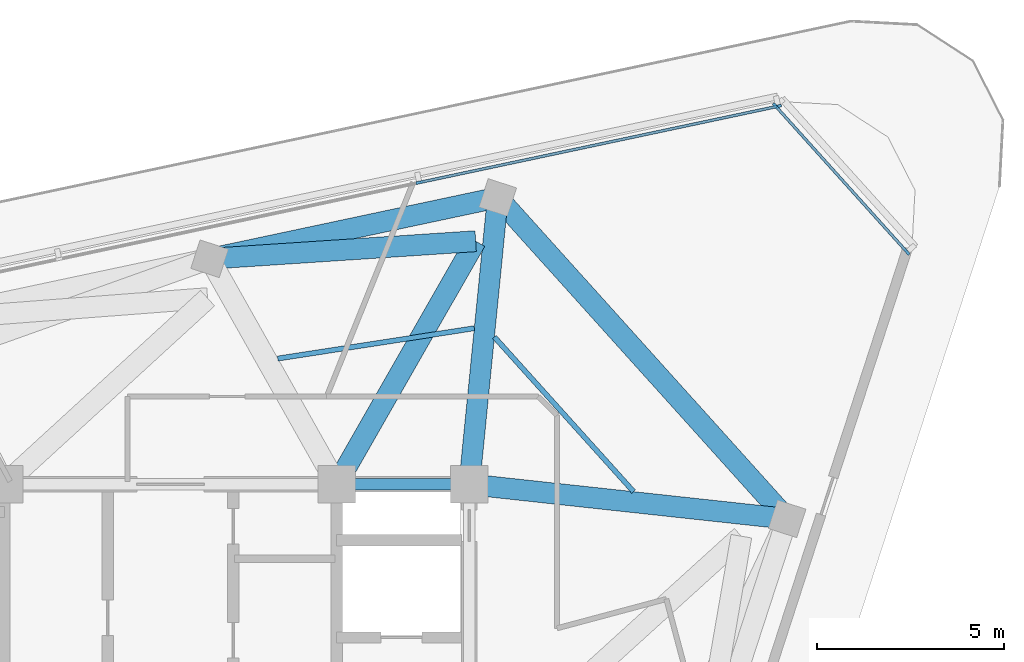
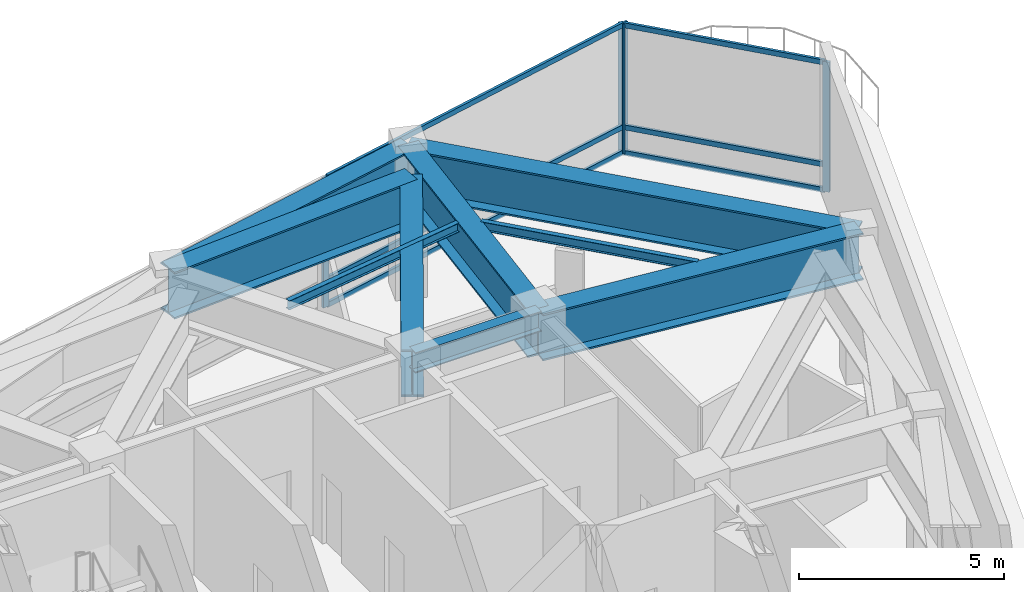
# One storey, part 7 of 15: 10 members, 9 beams, 2 elements without a shape of their own.
"""IFC4 building model written with IfcOpenShell, lengths in metres."""

from ifc_helpers import new_model, si_unit, direction, frame, origin, origin_2d, place, context, subcontext, project, spatial, rectangle, i_section, extrude, material, layer, layer_set, material_profile, profile_set, type_object, element, aggregate, save


model = new_model("IFC4")

# Units and contexts
model_context = context("Model", 3, precision=1e-05, world=origin(), true_north=direction((0.0, 1.0)))
body_context = subcontext(model_context, "Body", "Model", "MODEL_VIEW")
ifc_project = project(units=[si_unit("LENGTHUNIT", "METRE"), si_unit("AREAUNIT", "SQUARE_METRE"), si_unit("VOLUMEUNIT", "CUBIC_METRE"), si_unit("PLANEANGLEUNIT", "RADIAN"), si_unit("MASSUNIT", "GRAM", prefix="KILO")], contexts=[model_context])

# Site, building, storey
site_placement = place(None, origin())
site = spatial("IfcSite", under=ifc_project, at=site_placement, CompositionType="ELEMENT")
building_placement = place(site_placement, origin())
building = spatial("IfcBuilding", under=site, at=building_placement, Name="Terralouvre Media Tower", CompositionType="ELEMENT")
storey_placement = place(building_placement, frame((0.0, 0.0, 312.800048828125)))
storey = spatial("IfcBuildingStorey", under=building, at=storey_placement, Name="L81", CompositionType="ELEMENT", Elevation=312.800048828125)

# Beams
ifc_material_1 = material(Name="Structural steel S355J2", Category="steel")
ifc_material_profile_1 = material_profile(ifc_material_1, i_section(OverallWidth=0.135009765625, OverallDepth=0.27001953125, WebThickness=0.006591796875, FlangeThickness=0.01025390625, at=origin_2d()), Name="IPE 270")
ifc_profile_set_1 = profile_set([ifc_material_profile_1], Name="Structural steel S355J2")
beam_type_1 = type_object("IfcBeamType", Name="Composite Floor Joist J-IPE270 (IPE 270)", PredefinedType="JOIST", material=ifc_profile_set_1)
beam_1_placement = place(storey_placement, frame((12.40087890625, 7.802734375, 4.244873046875), z_axis=(-0.669141401676, 0.743135105188, 0.0), x_axis=(-0.743135105188, -0.669141401676, 0.0)))
element("IfcBeam", 1, at=beam_1_placement, inside=storey, type_object=beam_type_1, Name="L81 Framing Beam JT-L81-07", PredefinedType="JOIST", context=body_context, shape_type="SweptSolid", body=[
    extrude(i_section(OverallWidth=0.135009765625, OverallDepth=0.27001953125, WebThickness=0.006591796875, FlangeThickness=0.01025390625, at=origin_2d()), origin(), (0.0, 0.0, 1.0), 5.57275390625),
])
beam_2_placement = place(storey_placement, frame((8.135986328125, 12.18017578125, 4.244873046875), z_axis=(-0.988287283147, -0.15260486876, 0.0), x_axis=(0.15260486876, -0.988287283147, 0.0)))
element("IfcBeam", 2, at=beam_2_placement, inside=storey, type_object=beam_type_1, Name="L81 Framing Beam JT-L81-08", PredefinedType="JOIST", context=body_context, shape_type="SweptSolid", body=[
    extrude(i_section(OverallWidth=0.135009765625, OverallDepth=0.27001953125, WebThickness=0.006591796875, FlangeThickness=0.01025390625, at=origin_2d()), origin(), (0.0, 0.0, 1.0), 5.325927734375),
])

# Curtain wall, members
ifc_material_2 = material(Name="Low-iron laminated double glazing with solar-control coating", Category="glass")
ifc_layer_1 = layer(ifc_material_2, 0.1650390625, Name="Faceted Glass-Point Crown Curtain Wall CW-06")
ifc_layer_set_1 = layer_set([ifc_layer_1], Name="Low-iron laminated double glazing with solar-control coating")
curtain_wall_type_1 = type_object("IfcCurtainWallType", Name="Faceted Glass-Point Crown Curtain Wall CW-06", PredefinedType="NOTDEFINED", material=ifc_layer_set_1)
curtain_wall_1_placement = place(storey_placement, origin())
curtain_wall_1 = element("IfcCurtainWall", 3, at=curtain_wall_1_placement, inside=storey, type_object=curtain_wall_type_1, Name="L81 Facade Curtain Wall F1", PredefinedType="NOTDEFINED")
ifc_material_3 = material(Name="Anodised extruded aluminium 6063-T6", Category="aluminium")
ifc_material_profile_2 = material_profile(ifc_material_3, rectangle(XDim=0.074951171875, YDim=0.14990234375, at=origin_2d()), Name="ALU 75x150")
ifc_profile_set_2 = profile_set([ifc_material_profile_2], Name="Anodised extruded aluminium 6063-T6")
member_type_1 = type_object("IfcMemberType", Name="Curtain-Wall Horizontal Transom TR-150", PredefinedType="USERDEFINED", material=ifc_profile_set_2)
member_1_placement = place(storey_placement, frame((16.233154296875, 18.1162109375, 0.037353515625), z_axis=(-0.978147455069, -0.207912376118, 0.0), x_axis=(0.207912376118, -0.978147455069, 0.0)))
member_1 = element("IfcMember", 4, at=member_1_placement, type_object=member_type_1, Name="CW-06 transom 1.1", ObjectType="TRANSOM", PredefinedType="USERDEFINED", context=body_context, shape_type="SweptSolid", body=[
    extrude(rectangle(XDim=0.074951171875, YDim=0.14990234375, at=origin_2d()), origin(), (0.0, 0.0, 1.0), 9.747314453125),
])
member_2_placement = place(storey_placement, frame((16.233154296875, 18.1162109375, 0.800048828125), z_axis=(-0.978147455069, -0.207912376118, 0.0), x_axis=(0.207912376118, -0.978147455069, 0.0)))
member_2 = element("IfcMember", 5, at=member_2_placement, type_object=member_type_1, Name="CW-06 transom 1.2", ObjectType="TRANSOM", PredefinedType="USERDEFINED", context=body_context, shape_type="SweptSolid", body=[
    extrude(rectangle(XDim=0.074951171875, YDim=0.14990234375, at=origin_2d()), origin(), (0.0, 0.0, 1.0), 9.747314453125),
])
member_3_placement = place(storey_placement, frame((16.233154296875, 18.1162109375, 3.842529296875), z_axis=(-0.978147455069, -0.207912376118, 0.0), x_axis=(0.207912376118, -0.978147455069, 0.0)))
member_3 = element("IfcMember", 6, at=member_3_placement, type_object=member_type_1, Name="CW-06 transom 1.3", ObjectType="TRANSOM", PredefinedType="USERDEFINED", context=body_context, shape_type="SweptSolid", body=[
    extrude(rectangle(XDim=0.074951171875, YDim=0.14990234375, at=origin_2d()), origin(), (0.0, 0.0, 1.0), 9.747314453125),
])

ifc_material_4 = material(Name="Low-iron laminated double glazing with solar-control coating", Category="glass")
ifc_layer_2 = layer(ifc_material_4, 0.1650390625, Name="Rounded Wind-Corner Curved Glazing CW-04")
ifc_layer_set_2 = layer_set([ifc_layer_2], Name="Low-iron laminated double glazing with solar-control coating")
curtain_wall_type_2 = type_object("IfcCurtainWallType", Name="Rounded Wind-Corner Curved Glazing CW-04", PredefinedType="NOTDEFINED", material=ifc_layer_set_2)
curtain_wall_2_placement = place(storey_placement, origin())
curtain_wall_2 = element("IfcCurtainWall", 7, at=curtain_wall_2_placement, inside=storey, type_object=curtain_wall_type_2, Name="L81 Rounded Wind-Corner Curtain Wall C1", PredefinedType="NOTDEFINED")
member_4_placement = place(storey_placement, frame((19.697021484375, 14.246826171875, 0.037353515625), z_axis=(-0.669126013117, 0.743148961225, 0.0), x_axis=(-0.743148961225, -0.669126013117, 0.0)))
member_4 = element("IfcMember", 8, at=member_4_placement, type_object=member_type_1, Name="CW-04 transom 1.1", ObjectType="TRANSOM", PredefinedType="USERDEFINED", context=body_context, shape_type="SweptSolid", body=[
    extrude(rectangle(XDim=0.074951171875, YDim=0.14990234375, at=origin_2d()), origin(), (0.0, 0.0, 1.0), 5.184814453125),
])
member_5_placement = place(storey_placement, frame((19.697021484375, 14.246826171875, 0.800048828125), z_axis=(-0.669126013117, 0.743148961225, 0.0), x_axis=(-0.743148961225, -0.669126013117, 0.0)))
member_5 = element("IfcMember", 9, at=member_5_placement, type_object=member_type_1, Name="CW-04 transom 1.2", ObjectType="TRANSOM", PredefinedType="USERDEFINED", context=body_context, shape_type="SweptSolid", body=[
    extrude(rectangle(XDim=0.074951171875, YDim=0.14990234375, at=origin_2d()), origin(), (0.0, 0.0, 1.0), 5.184814453125),
])
member_6_placement = place(storey_placement, frame((19.697021484375, 14.246826171875, 3.842529296875), z_axis=(-0.669126013117, 0.743148961225, 0.0), x_axis=(-0.743148961225, -0.669126013117, 0.0)))
member_6 = element("IfcMember", 10, at=member_6_placement, type_object=member_type_1, Name="CW-04 transom 1.3", ObjectType="TRANSOM", PredefinedType="USERDEFINED", context=body_context, shape_type="SweptSolid", body=[
    extrude(rectangle(XDim=0.074951171875, YDim=0.14990234375, at=origin_2d()), origin(), (0.0, 0.0, 1.0), 5.184814453125),
])

# Member
ifc_material_5 = material(Name="Anodised extruded aluminium 6063-T6", Category="aluminium")
ifc_material_profile_3 = material_profile(ifc_material_5, rectangle(XDim=0.074951171875, YDim=0.179931640625, at=origin_2d()), Name="ALU 75x180")
ifc_profile_set_3 = profile_set([ifc_material_profile_3], Name="Anodised extruded aluminium 6063-T6")
member_type_2 = type_object("IfcMemberType", Name="Curtain-Wall Vertical Mullion ML-180", PredefinedType="MULLION", material=ifc_profile_set_3)
member_7_placement = place(storey_placement, frame((16.269775390625, 18.1240234375, 0.0), z_axis=(0.0, 0.0, 1.0), x_axis=(0.207911717023, -0.978147595164, 0.0)))
member_7 = element("IfcMember", 11, at=member_7_placement, type_object=member_type_2, Name="CW-06 mullion 1", PredefinedType="MULLION", context=body_context, shape_type="SweptSolid", body=[
    extrude(rectangle(XDim=0.074951171875, YDim=0.179931640625, at=origin_2d()), origin(), (0.0, 0.0, 1.0), 3.8798828125),
])

member_8_placement = place(storey_placement, frame((6.661865234375, 16.081787109375, 0.0), z_axis=(0.0, 0.0, 1.0), x_axis=(0.207911717023, -0.978147595164, 0.0)))
member_8 = element("IfcMember", 12, at=member_8_placement, type_object=member_type_2, Name="CW-06 mullion 2", PredefinedType="MULLION", context=body_context, shape_type="SweptSolid", body=[
    extrude(rectangle(XDim=0.074951171875, YDim=0.179931640625, at=origin_2d()), origin(), (0.0, 0.0, 1.0), 3.8798828125),
])

aggregate(curtain_wall_1, [member_7, member_8, member_1, member_2, member_3])

member_9_placement = place(storey_placement, frame((19.72216796875, 14.218994140625, 0.0), z_axis=(0.0, 0.0, 1.0), x_axis=(-0.743144435613, -0.669131039347, 0.0)))
member_9 = element("IfcMember", 13, at=member_9_placement, type_object=member_type_2, Name="CW-04 mullion 1", PredefinedType="MULLION", context=body_context, shape_type="SweptSolid", body=[
    extrude(rectangle(XDim=0.074951171875, YDim=0.179931640625, at=origin_2d()), origin(), (0.0, 0.0, 1.0), 3.8798828125),
])

member_10_placement = place(storey_placement, frame((16.20263671875, 18.127685546875, 0.0), z_axis=(0.0, 0.0, 1.0), x_axis=(-0.743144435613, -0.669131039347, 0.0)))
member_10 = element("IfcMember", 14, at=member_10_placement, type_object=member_type_2, Name="CW-04 mullion 2", PredefinedType="MULLION", context=body_context, shape_type="SweptSolid", body=[
    extrude(rectangle(XDim=0.074951171875, YDim=0.179931640625, at=origin_2d()), origin(), (0.0, 0.0, 1.0), 3.8798828125),
])

aggregate(curtain_wall_2, [member_9, member_10, member_4, member_5, member_6])

# Beams
ifc_material_6 = material(Name="Structural steel S460M", Category="steel")
ifc_material_profile_4 = material_profile(ifc_material_6, i_section(OverallWidth=0.300048828125, OverallDepth=0.60009765625, WebThickness=0.015380859375, FlangeThickness=0.030029296875, at=origin_2d()), Name="HEB 600")
ifc_profile_set_4 = profile_set([ifc_material_profile_4], Name="Structural steel S460M")
beam_type_2 = type_object("IfcBeamType", Name="Primary Floor Girder B-HEB600 (HEB 600)", PredefinedType="BEAM", material=ifc_profile_set_4)
beam_3_placement = place(storey_placement, frame((8.0, 8.0, 4.079833984375), z_axis=(-1.0, 0.0, 0.0), x_axis=(0.0, -1.0, 0.0)))
element("IfcBeam", 15, at=beam_3_placement, inside=storey, type_object=beam_type_2, Name="L81 Framing Beam BM-L81-CPR06", PredefinedType="BEAM", context=body_context, shape_type="SweptSolid", body=[
    extrude(i_section(OverallWidth=0.300048828125, OverallDepth=0.60009765625, WebThickness=0.015380859375, FlangeThickness=0.030029296875, at=origin_2d()), origin(), (0.0, 0.0, 1.0), 3.550048828125),
])
ifc_material_7 = material(Name="Structural steel S460M", Category="steel")
ifc_material_profile_5 = material_profile(ifc_material_7, i_section(OverallWidth=0.56005859375, OverallDepth=1.39990234375, WebThickness=0.031982421875, FlangeThickness=0.050048828125, at=origin_2d()), Name="TG 1400x560")
ifc_profile_set_5 = profile_set([ifc_material_profile_5], Name="Structural steel S460M")
beam_type_3 = type_object("IfcBeamType", Name="Welded Transfer Girder TG-1400 (TG 1400x560)", PredefinedType="USERDEFINED", material=ifc_profile_set_5)
beam_4_placement = place(storey_placement, frame((16.51025390625, 7.076416015625, 3.679931640625), z_axis=(-0.669139474557, 0.74313684042, 0.0), x_axis=(-0.74313684042, -0.669139474557, 0.0)))
element("IfcBeam", 16, at=beam_4_placement, inside=storey, type_object=beam_type_3, Name="L81 Framing Beam BM-L81-PR09", ObjectType="TRANSFER GIRDER", PredefinedType="USERDEFINED", context=body_context, shape_type="SweptSolid", body=[
    extrude(i_section(OverallWidth=0.56005859375, OverallDepth=1.39990234375, WebThickness=0.031982421875, FlangeThickness=0.050048828125, at=origin_2d()), origin(), (0.0, 0.0, 1.0), 11.577392578125),
])
beam_5_placement = place(storey_placement, frame((8.763427734375, 15.679931640625, 3.679931640625), z_axis=(-0.978150275927, -0.207899104623, 0.0), x_axis=(0.207899104623, -0.978150275927, 0.0)))
element("IfcBeam", 17, at=beam_5_placement, inside=storey, type_object=beam_type_3, Name="L81 Framing Beam BM-L81-PR10", ObjectType="TRANSFER GIRDER", PredefinedType="USERDEFINED", context=body_context, shape_type="SweptSolid", body=[
    extrude(i_section(OverallWidth=0.56005859375, OverallDepth=1.39990234375, WebThickness=0.031982421875, FlangeThickness=0.050048828125, at=origin_2d()), origin(), (0.0, 0.0, 1.0), 7.887939453125),
])
beam_6_placement = place(storey_placement, frame((8.0, 8.0, 3.679931640625), z_axis=(0.994162565718, -0.107892506343, 0.0), x_axis=(0.107892506343, 0.994162565718, 0.0)))
element("IfcBeam", 18, at=beam_6_placement, inside=storey, type_object=beam_type_3, Name="L81 Framing Beam BM-L81-RD09", ObjectType="TRANSFER GIRDER", PredefinedType="USERDEFINED", context=body_context, shape_type="SweptSolid", body=[
    extrude(i_section(OverallWidth=0.56005859375, OverallDepth=1.39990234375, WebThickness=0.031982421875, FlangeThickness=0.050048828125, at=origin_2d()), origin(), (0.0, 0.0, 1.0), 8.560302734375),
])
beam_7_placement = place(storey_placement, frame((8.0, 8.0, 3.679931640625), z_axis=(0.09891801189, 0.995095586828, 0.0), x_axis=(-0.995095586828, 0.09891801189, 0.0)))
element("IfcBeam", 19, at=beam_7_placement, inside=storey, type_object=beam_type_3, Name="L81 Framing Beam BM-L81-RD10", ObjectType="TRANSFER GIRDER", PredefinedType="USERDEFINED", context=body_context, shape_type="SweptSolid", body=[
    extrude(i_section(OverallWidth=0.56005859375, OverallDepth=1.39990234375, WebThickness=0.031982421875, FlangeThickness=0.050048828125, at=origin_2d()), origin(), (0.0, 0.0, 1.0), 7.7177734375),
])
beam_8_placement = place(storey_placement, frame((8.171630859375, 14.510498046875, 3.679931640625), z_axis=(-0.997826423804, -0.065897101294, 0.0), x_axis=(0.065897101294, -0.997826423804, 0.0)))
element("IfcBeam", 20, at=beam_8_placement, inside=storey, type_object=beam_type_3, Name="L81 Framing Beam BM-L81-TR05S1", ObjectType="TRANSFER GIRDER", PredefinedType="USERDEFINED", context=body_context, shape_type="SweptSolid", body=[
    extrude(i_section(OverallWidth=0.56005859375, OverallDepth=1.39990234375, WebThickness=0.031982421875, FlangeThickness=0.050048828125, at=origin_2d()), origin(), (0.0, 0.0, 1.0), 7.139404296875),
])
beam_9_placement = place(storey_placement, frame((8.171630859375, 14.510498046875, 3.679931640625), z_axis=(-0.496279171846, -0.868162993678, 0.0), x_axis=(0.868162993678, -0.496279171846, 0.0)))
element("IfcBeam", 21, at=beam_9_placement, inside=storey, type_object=beam_type_3, Name="L81 Framing Beam BM-L81-TR05S2", ObjectType="TRANSFER GIRDER", PredefinedType="USERDEFINED", context=body_context, shape_type="SweptSolid", body=[
    extrude(i_section(OverallWidth=0.56005859375, OverallDepth=1.39990234375, WebThickness=0.031982421875, FlangeThickness=0.050048828125, at=origin_2d()), origin(), (0.0, 0.0, 1.0), 7.499267578125),
])

save(model, "model.ifc")
